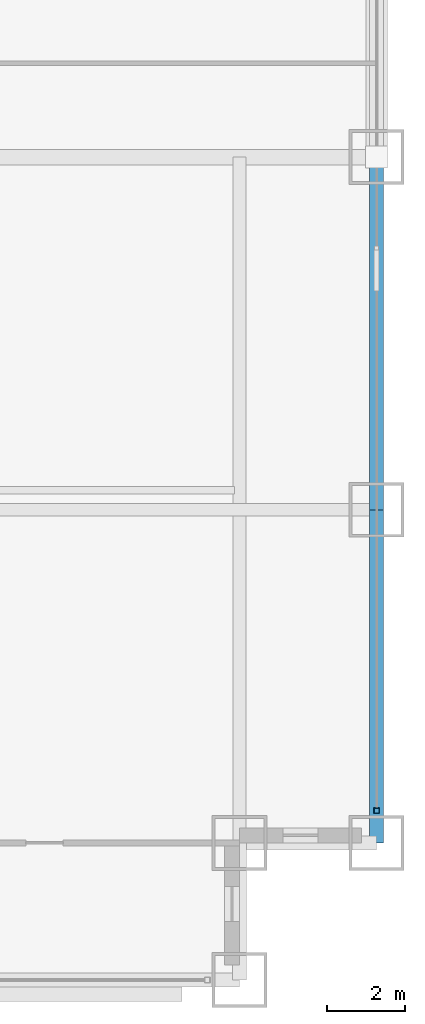
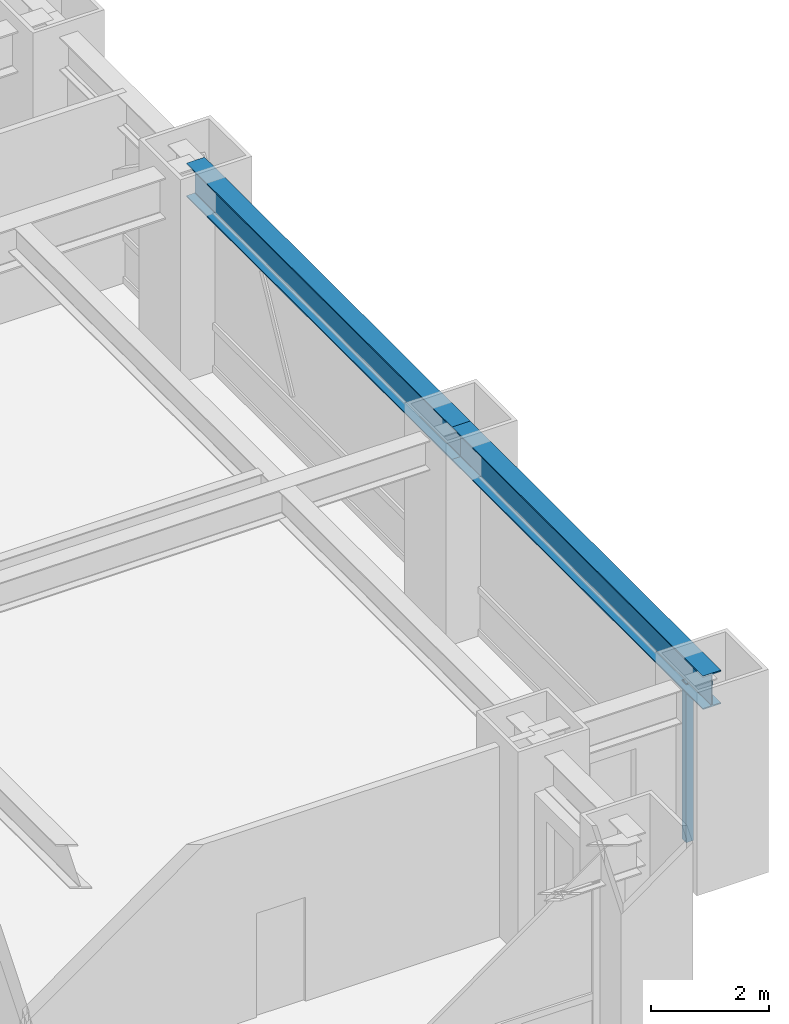
# One storey, part 12 of 32: 2 beams, 1 member, 1 element without a shape of its own.
"""IFC4 building model written with IfcOpenShell, lengths in metres."""

from ifc_helpers import new_model, si_unit, direction, frame, origin, origin_2d, place, context, subcontext, project, spatial, hollow_rectangle, i_section, extrude, source, transform, mapped, material, material_profile, profile_set, type_object, element, aggregate, save


model = new_model("IFC4")

# Units and contexts
model_context = context("Model", 3, precision=1e-05, world=origin(), true_north=direction((0.0, 1.0)))
body_context = subcontext(model_context, "Body", "Model", "MODEL_VIEW")
ifc_project = project(units=[si_unit("LENGTHUNIT", "METRE"), si_unit("AREAUNIT", "SQUARE_METRE"), si_unit("VOLUMEUNIT", "CUBIC_METRE"), si_unit("PLANEANGLEUNIT", "RADIAN"), si_unit("MASSUNIT", "GRAM", prefix="KILO")], contexts=[model_context])

# Site, building, storey
site_placement = place(None, origin())
site = spatial("IfcSite", under=ifc_project, at=site_placement, CompositionType="ELEMENT")
building_placement = place(site_placement, origin())
building = spatial("IfcBuilding", under=site, at=building_placement, Name="Khorayat Bourse Tower", CompositionType="ELEMENT")
storey_placement = place(building_placement, frame((0.0, 0.0, 70.39990234375)))
storey = spatial("IfcBuildingStorey", under=building, at=storey_placement, Name="L15", CompositionType="ELEMENT", Elevation=70.39990234375)

# Beams
ifc_material_1 = material(Name="Steel ASTM A992 Grade 50", Category="steel")
ifc_material_profile_1 = material_profile(ifc_material_1, i_section(OverallWidth=0.35498046875, OverallDepth=0.695068359375, WebThickness=0.015380859375, FlangeThickness=0.02490234375, FilletRadius=0.01806640625, at=origin_2d()), Name="W690X217")
ifc_profile_set_1 = profile_set([ifc_material_profile_1], Name="Steel ASTM A992 Grade 50")
beam_type = type_object("IfcBeamType", Name="BM-SPAN-690", PredefinedType="SPANDREL", material=ifc_profile_set_1)
shared_shape_1 = source(origin(), body_context, "Body", "SweptSolid", [
    extrude(i_section(OverallWidth=0.35498046875, OverallDepth=0.695068359375, WebThickness=0.015380859375, FlangeThickness=0.02490234375, FilletRadius=0.01806640625, at=origin_2d()), origin(), (0.0, 0.0, 1.0), 8.5),
])
beam_1_placement = place(storey_placement, frame((32.0, -28.5, 3.592529296875), z_axis=(0.0, 1.0, 0.0), x_axis=(-1.0, 0.0, 0.0)))
element("IfcBeam", 1, at=beam_1_placement, inside=storey, type_object=beam_type, Name="L15 BM-SPAN-690 BM-L15-SPN-034", PredefinedType="SPANDREL", context=body_context, shape_type="MappedRepresentation", body=[
    mapped(shared_shape_1, transform((0.0, 0.0, 0.0), scale=1.0)),
])
shared_shape_2 = source(origin(), body_context, "Body", "SweptSolid", [
    extrude(i_section(OverallWidth=0.35498046875, OverallDepth=0.695068359375, WebThickness=0.015380859375, FlangeThickness=0.02490234375, FilletRadius=0.01806640625, at=origin_2d()), origin(), (0.0, 0.0, 1.0), 9.0),
])
beam_2_placement = place(storey_placement, frame((32.0, -20.0, 3.592529296875), z_axis=(0.0, 1.0, 0.0), x_axis=(-1.0, 0.0, 0.0)))
element("IfcBeam", 2, at=beam_2_placement, inside=storey, type_object=beam_type, Name="L15 BM-SPAN-690 BM-L15-SPN-035", PredefinedType="SPANDREL", context=body_context, shape_type="MappedRepresentation", body=[
    mapped(shared_shape_2, transform((0.0, 0.0, 0.0), scale=1.0)),
])

# Curtain wall, member
ifc_material_2 = material(Name="Aluminium EN AW-6063 T6", Category="aluminium")
curtain_wall_type = type_object("IfcCurtainWallType", Name="CW-SYS-02", PredefinedType="NOTDEFINED", material=ifc_material_2)
curtain_wall_placement = place(storey_placement, origin())
curtain_wall = element("IfcCurtainWall", 3, at=curtain_wall_placement, inside=storey, type_object=curtain_wall_type, Name="L15 Curtain Wall CW-L15-E1", PredefinedType="NOTDEFINED")
ifc_material_profile_2 = material_profile(ifc_material_2, hollow_rectangle(XDim=0.139892578125, YDim=0.139892578125, WallThickness=0.006103515625, at=origin_2d()), Name="ALU 140x140x6")
ifc_profile_set_2 = profile_set([ifc_material_profile_2], Name="Aluminium EN AW-6063 T6")
member_type = type_object("IfcMemberType", Name="CWM-VERT-140", PredefinedType="MULLION", material=ifc_profile_set_2)
shared_shape_3 = source(origin(), body_context, "Body", "SweptSolid", [
    extrude(hollow_rectangle(XDim=0.139892578125, YDim=0.139892578125, WallThickness=0.006103515625, at=origin_2d()), origin(), (0.0, 0.0, 1.0), 3.2900390625),
])
member_placement = place(storey_placement, frame((32.0, -27.679931640625, 0.0), z_axis=(0.0, 0.0, 1.0), x_axis=(-1.0, 0.0, 0.0)))
member = element("IfcMember", 4, at=member_placement, type_object=member_type, Name="CW-L15-E1 Vertical Mullion 1", PredefinedType="MULLION", context=body_context, shape_type="MappedRepresentation", body=[
    mapped(shared_shape_3, transform((0.0, 0.0, 0.0), scale=1.0)),
])
aggregate(curtain_wall, [member])

save(model, "model.ifc")
